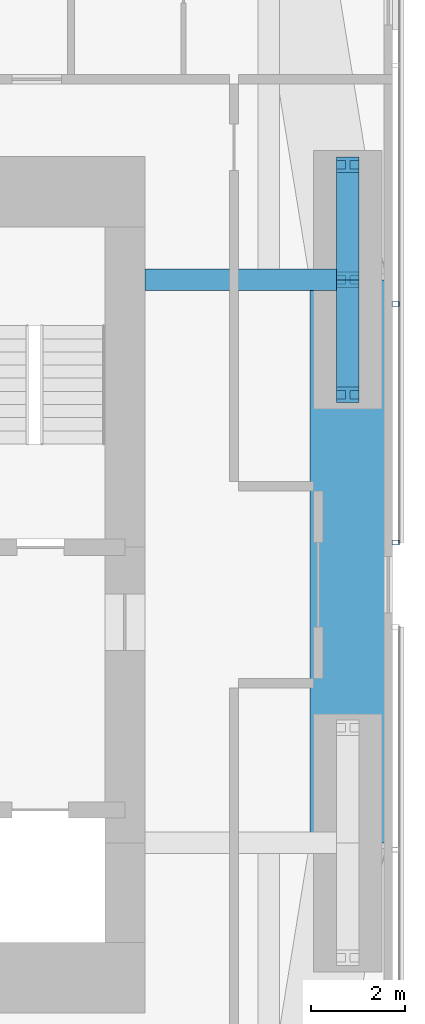
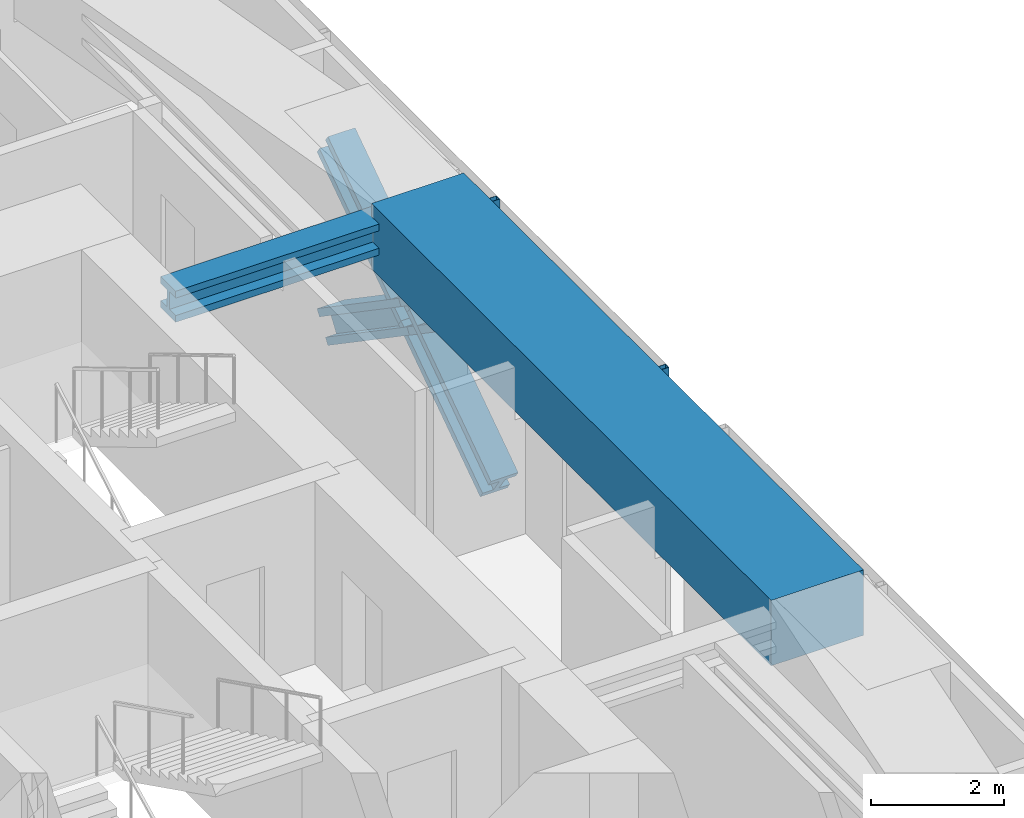
# One storey, part 10 of 25: 6 members, 2 beams, 1 element without a shape of its own.
"""IFC4 building model written with IfcOpenShell, lengths in metres."""

from ifc_helpers import new_model, si_unit, direction, frame, origin, origin_2d, place, context, subcontext, project, spatial, rectangle, hollow_rectangle, i_section, extrude, material, material_profile, profile_set, type_object, element, aggregate, save


model = new_model("IFC4")

# Units and contexts
model_context = context("Model", 3, precision=1e-05, world=origin(), true_north=direction((0.0, 1.0)))
body_context = subcontext(model_context, "Body", "Model", "MODEL_VIEW")
ifc_project = project(units=[si_unit("LENGTHUNIT", "METRE"), si_unit("AREAUNIT", "SQUARE_METRE"), si_unit("VOLUMEUNIT", "CUBIC_METRE"), si_unit("PLANEANGLEUNIT", "RADIAN"), si_unit("MASSUNIT", "GRAM", prefix="KILO")], contexts=[model_context])

# Site, building, storey
site_placement = place(None, origin())
site = spatial("IfcSite", under=ifc_project, at=site_placement, CompositionType="ELEMENT")
building_placement = place(site_placement, origin())
building = spatial("IfcBuilding", under=site, at=building_placement, Name="Jalousie Tower", CompositionType="ELEMENT")
storey_placement = place(building_placement, frame((0.0, 0.0, 98.14990234375)))
storey = spatial("IfcBuildingStorey", under=building, at=storey_placement, Name="L26", CompositionType="ELEMENT", Elevation=98.14990234375)

# Beam
ifc_material_1 = material(Name="Steel ASTM A992 Grade 50", Category="steel")
ifc_material_profile_1 = material_profile(ifc_material_1, i_section(OverallWidth=0.45458984375, OverallDepth=0.569091796875, WebThickness=0.077880859375, FlangeThickness=0.124755859375, at=origin_2d()), Name="W14X730")
ifc_profile_set_1 = profile_set([ifc_material_profile_1], Name="Steel ASTM A992 Grade 50")
beam_type_1 = type_object("IfcBeamType", Name="LEAN COLLECTOR W14X730", PredefinedType="BEAM", material=ifc_profile_set_1)
beam_1_placement = place(storey_placement, frame((48.550048828125, 25.0, 2.82568359375), z_axis=(-1.0, 0.0, 0.0), x_axis=(0.0, -1.0, 0.0)))
element("IfcBeam", 1, at=beam_1_placement, inside=storey, type_object=beam_type_1, Name="Lean collector under L27", PredefinedType="BEAM", context=body_context, shape_type="SweptSolid", body=[
    extrude(i_section(OverallWidth=0.45458984375, OverallDepth=0.569091796875, WebThickness=0.077880859375, FlangeThickness=0.124755859375, at=origin_2d()), origin(), (0.0, 0.0, 1.0), 4.324951171875),
])

# Members
ifc_material_2 = material(Name="Steel ASTM A992 Grade 50", Category="steel")
ifc_material_profile_2 = material_profile(ifc_material_2, i_section(OverallWidth=0.472412109375, OverallDepth=0.5791015625, WebThickness=0.094970703125, FlangeThickness=0.1298828125, at=origin_2d()), Name="W14X808")
ifc_profile_set_2 = profile_set([ifc_material_profile_2], Name="Steel ASTM A992 Grade 50")
member_type_1 = type_object("IfcMemberType", Name="PERIMETER BRACE W14X808", PredefinedType="BRACE", material=ifc_profile_set_2)
for number, where, z_axis, x_axis, name in (
    (2, (48.550048828125, 22.550048828125, -0.599853515625), (0.0, 0.825500916831, 0.564400776321), (-1.0, 0.0, 0.0), "Perimeter brace 07 L26 part 1"),
    (3, (48.550048828125, 25.0, 1.0751953125), (0.0, 0.825539243753, 0.564344714713), (-1.0, 0.0, 0.0), "Perimeter brace 07 L26 part 2"),
    (4, (48.550048828125, 27.449951171875, -0.599853515625), (0.0, -0.825500916831, 0.564400776321), (1.0, 0.0, 0.0), "Perimeter brace 07 L26 part 3"),
    (5, (48.550048828125, 25.0, 1.0751953125), (0.0, -0.825539243753, 0.564344714713), (1.0, 0.0, 0.0), "Perimeter brace 07 L26 part 4"),
):
    element("IfcMember", number, at=place(storey_placement, frame(where, z_axis=z_axis, x_axis=x_axis)), inside=storey, type_object=member_type_1, Name=name, PredefinedType="BRACE", context=body_context, shape_type="SweptSolid", body=[
        extrude(i_section(OverallWidth=0.472412109375, OverallDepth=0.5791015625, WebThickness=0.094970703125, FlangeThickness=0.1298828125, at=origin_2d()), origin(), (0.0, 0.0, 1.0), 2.9677734375),
    ])

# Beam
ifc_material_3 = material(Name="Concrete f'c 40 MPa", Category="concrete")
ifc_material_profile_3 = material_profile(ifc_material_3, rectangle(XDim=1.60009765625, YDim=1.199951171875, at=origin_2d()), Name="RC 1600x1200")
ifc_profile_set_3 = profile_set([ifc_material_profile_3], Name="Concrete f'c 40 MPa")
beam_type_2 = type_object("IfcBeamType", Name="RC BEAM 1600x1200", PredefinedType="BEAM", material=ifc_profile_set_3)
beam_2_placement = place(storey_placement, frame((48.550048828125, 13.0, 2.75), z_axis=(0.0, 1.0, 0.0), x_axis=(-1.0, 0.0, 0.0)))
element("IfcBeam", 6, at=beam_2_placement, inside=storey, type_object=beam_type_2, Name="Edge band beam 06-07 under L27", PredefinedType="BEAM", context=body_context, shape_type="SweptSolid", body=[
    extrude(rectangle(XDim=1.60009765625, YDim=1.199951171875, at=origin_2d()), origin(), (0.0, 0.0, 1.0), 12.0),
])

# Curtain wall, members
ifc_material_4 = material(Name="Perforated aluminium sheet", Category="aluminium")
curtain_wall_type = type_object("IfcCurtainWallType", Name="SOLAR SCREEN SS-1", PredefinedType="USERDEFINED", material=ifc_material_4)
curtain_wall_placement = place(storey_placement, origin())
curtain_wall = element("IfcCurtainWall", 7, at=curtain_wall_placement, inside=storey, type_object=curtain_wall_type, Name="Solar screen L26", ObjectType="SOLAR SCREEN SS-1", PredefinedType="USERDEFINED")
ifc_material_5 = material(Name="Steel ASTM A500 Grade C", Category="steel")
ifc_material_profile_4 = material_profile(ifc_material_5, hollow_rectangle(XDim=0.1015625, YDim=0.15234375, WallThickness=0.00634765625, at=origin_2d()), Name="HSS6X4X1/4")
ifc_profile_set_4 = profile_set([ifc_material_profile_4], Name="Steel ASTM A500 Grade C")
member_type_2 = type_object("IfcMemberType", Name="SOLAR SCREEN SS-1 MULLION", PredefinedType="MULLION", material=ifc_profile_set_4)
member_1_placement = place(storey_placement, frame((49.5712890625, 19.39990234375, -0.119873046875), z_axis=(0.0, 0.0, 1.0), x_axis=(0.0, 1.0, 0.0)))
member_1 = element("IfcMember", 8, at=member_1_placement, type_object=member_type_2, Name="SS1 post 1", PredefinedType="MULLION", context=body_context, shape_type="SweptSolid", body=[
    extrude(hollow_rectangle(XDim=0.1015625, YDim=0.15234375, WallThickness=0.00634765625, at=origin_2d()), origin(), (0.0, 0.0, 1.0), 3.22998046875),
])
member_2_placement = place(storey_placement, frame((49.5712890625, 24.48291015625, -0.119873046875), z_axis=(0.0, 0.0, 1.0), x_axis=(0.0, 1.0, 0.0)))
member_2 = element("IfcMember", 9, at=member_2_placement, type_object=member_type_2, Name="SS1 post 2", PredefinedType="MULLION", context=body_context, shape_type="SweptSolid", body=[
    extrude(hollow_rectangle(XDim=0.1015625, YDim=0.15234375, WallThickness=0.00634765625, at=origin_2d()), origin(), (0.0, 0.0, 1.0), 3.22998046875),
])
aggregate(curtain_wall, [member_1, member_2])

save(model, "model.ifc")
